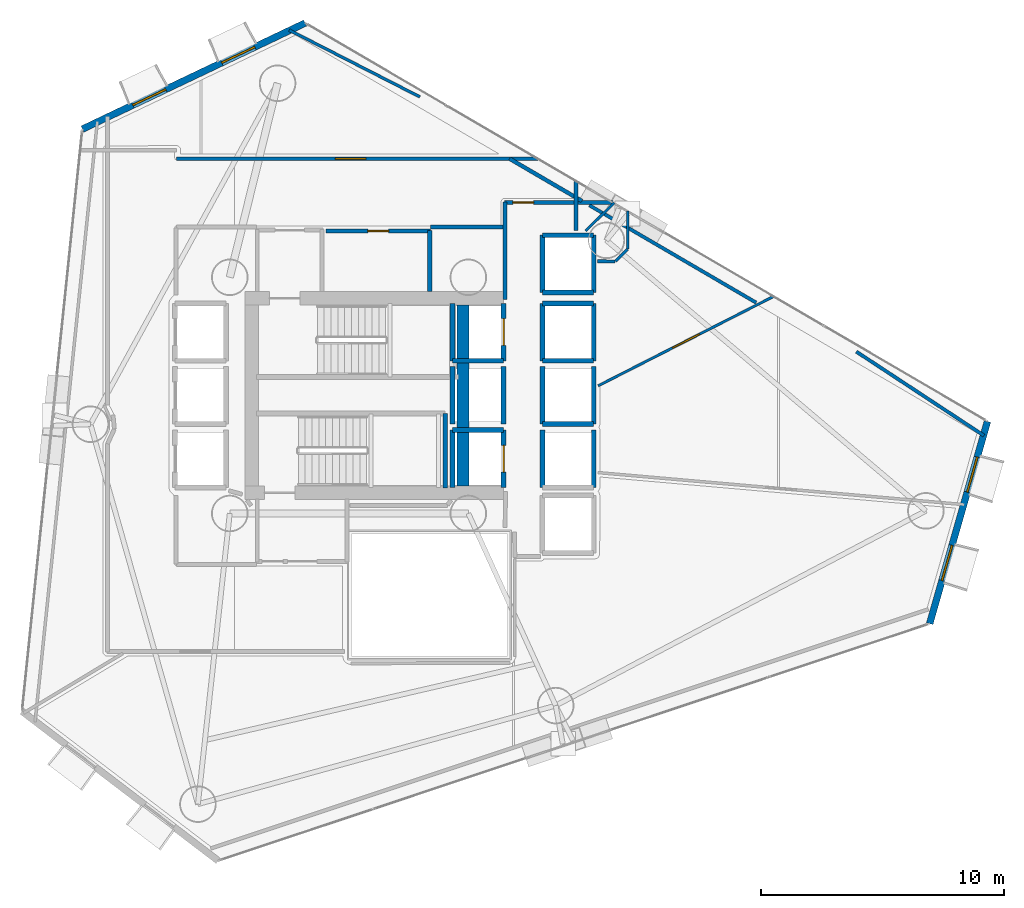
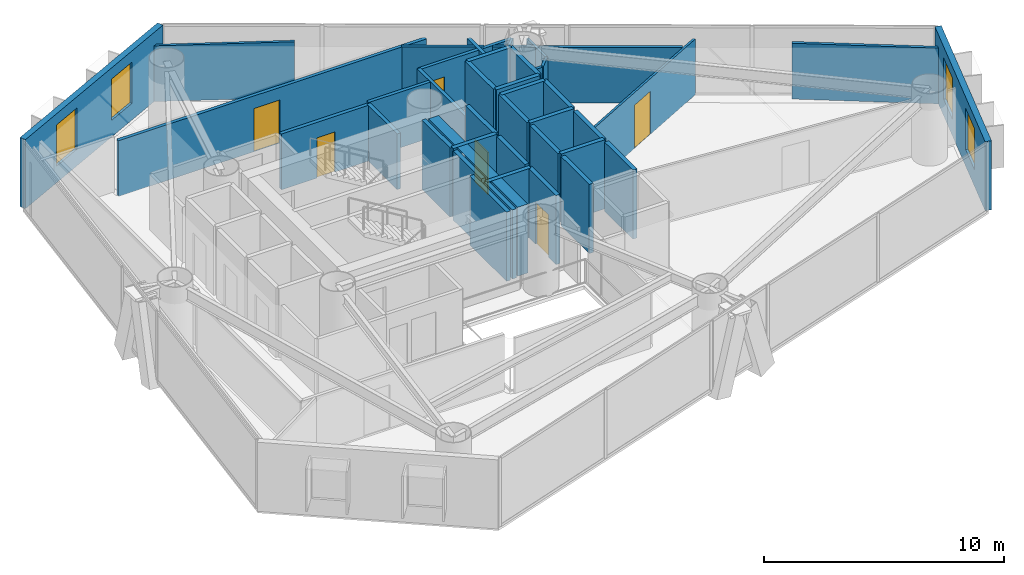
# One storey, part 15 of 19: 41 walls, 6 doors, 4 windows, 10 openings.
"""IFC4 building model written with IfcOpenShell, lengths in metres."""

from ifc_helpers import new_model, si_unit, direction, frame, frame_2d, origin, place, context, subcontext, project, spatial, rectangle, extrude, material, layer, layer_set, type_object, element, fill, save


model = new_model("IFC4")

# Units and contexts
model_context = context("Model", 3, precision=1e-05, world=origin(), true_north=direction((0.0, 1.0)))
body_context = subcontext(model_context, "Body", "Model", "MODEL_VIEW")
ifc_project = project(units=[si_unit("LENGTHUNIT", "METRE"), si_unit("AREAUNIT", "SQUARE_METRE"), si_unit("VOLUMEUNIT", "CUBIC_METRE"), si_unit("PLANEANGLEUNIT", "RADIAN"), si_unit("MASSUNIT", "GRAM", prefix="KILO")], contexts=[model_context])

# Site, building, storey
site_placement = place(None, origin())
site = spatial("IfcSite", under=ifc_project, at=site_placement, CompositionType="ELEMENT")
building_placement = place(site_placement, origin())
building = spatial("IfcBuilding", under=site, at=building_placement, Name="Qianvela Tower", CompositionType="ELEMENT")
storey_placement = place(building_placement, frame((0.0, 0.0, 120.0)))
storey = spatial("IfcBuildingStorey", under=building, at=storey_placement, Name="L30", CompositionType="ELEMENT", Elevation=120.0)

# Wall, openings, windows
ifc_material_1 = material(Name="Terracotta Cladding on Concrete C40", Category="masonry")
ifc_layer_1 = layer(ifc_material_1, 0.280029296875)
ifc_layer_set_1 = layer_set([ifc_layer_1], Name="Terracotta Cladding on Concrete C40")
wall_type_1 = type_object("IfcWallType", Name="TERRACOTTA-WALL-280", PredefinedType="SOLIDWALL", material=ifc_layer_set_1)
wall_1_placement = place(storey_placement, frame((57.352783203125, 19.323486328125, 0.0), z_axis=(0.0, 0.0, 1.0), x_axis=(0.274694997196, 0.961531413171, 0.0)))
wall_1 = element("IfcWall", 1, at=wall_1_placement, inside=storey, type_object=wall_type_1, Name="L30 Terracotta Chamfer Facet Wall 1", PredefinedType="SOLIDWALL", context=body_context, shape_type="SweptSolid", body=[
    extrude(rectangle(XDim=8.637939453125, YDim=0.280029296875, at=frame_2d((4.31884765625, 0.0))), origin(), (0.0, 0.0, 1.0), 3.52001953125),
])
opening_1_placement = place(wall_1_placement, frame((1.84130859375, 0.0, 0.85009765625)))
opening_1 = element("IfcOpeningElement", 2, at=opening_1_placement, cuts=wall_1, Name="Opening W-02", PredefinedType="OPENING", context=body_context, shape_type="SweptSolid", body=[
    extrude(rectangle(XDim=1.5, YDim=2.10009765625, at=frame_2d((0.75, 1.050048828125))), frame((0.0, 0.14990234375, 0.0), z_axis=(0.0, -1.0, 0.0), x_axis=(1.0, 0.0, 0.0)), (0.0, 0.0, 1.0), 0.300048828125),
])
opening_2_placement = place(wall_1_placement, frame((5.616455078125, 0.0, 0.85009765625)))
opening_2 = element("IfcOpeningElement", 3, at=opening_2_placement, cuts=wall_1, Name="Opening W-02", PredefinedType="OPENING", context=body_context, shape_type="SweptSolid", body=[
    extrude(rectangle(XDim=1.5, YDim=2.10009765625, at=frame_2d((0.75, 1.050048828125))), frame((0.0, 0.14990234375, 0.0), z_axis=(0.0, -1.0, 0.0), x_axis=(1.0, 0.0, 0.0)), (0.0, 0.0, 1.0), 0.300048828125),
])
ifc_material_2 = material(Name="Thermally Broken Aluminium and Low-E Glass", Category="aluminium")
window_type = type_object("IfcWindowType", Name="WIN-TC-1500x2100", PartitioningType="DOUBLE_PANEL_VERTICAL", PredefinedType="WINDOW", material=ifc_material_2)
window_1_placement = place(opening_1_placement, origin())
window_1 = element("IfcWindow", 4, at=window_1_placement, inside=storey, type_object=window_type, Name="L30 Chamfer Facet Window 1.1", OverallHeight=2.10009765625, OverallWidth=1.5, PartitioningType="SINGLE_PANEL", PredefinedType="WINDOW", context=body_context, shape_type="SweptSolid", body=[
    extrude(rectangle(XDim=1.5, YDim=2.10009765625, at=frame_2d((0.75, 1.050048828125))), frame((0.0, 0.030029296875, 0.0), z_axis=(0.0, -1.0, 0.0), x_axis=(1.0, 0.0, 0.0)), (0.0, 0.0, 1.0), 0.06005859375),
])
fill(opening_1, window_1)
window_2_placement = place(opening_2_placement, origin())
window_2 = element("IfcWindow", 5, at=window_2_placement, inside=storey, type_object=window_type, Name="L30 Chamfer Facet Window 1.2", OverallHeight=2.10009765625, OverallWidth=1.5, PartitioningType="SINGLE_PANEL", PredefinedType="WINDOW", context=body_context, shape_type="SweptSolid", body=[
    extrude(rectangle(XDim=1.5, YDim=2.10009765625, at=frame_2d((0.75, 1.050048828125))), frame((0.0, 0.030029296875, 0.0), z_axis=(0.0, -1.0, 0.0), x_axis=(1.0, 0.0, 0.0)), (0.0, 0.0, 1.0), 0.06005859375),
])
fill(opening_2, window_2)

wall_2_placement = place(storey_placement, frame((31.69091796875, 43.993408203125, 0.0), z_axis=(0.0, 0.0, 1.0), x_axis=(-0.902836451618, -0.429984117881, 0.0)))
wall_2 = element("IfcWall", 6, at=wall_2_placement, inside=storey, type_object=wall_type_1, Name="L30 Terracotta Chamfer Facet Wall 3", PredefinedType="SOLIDWALL", context=body_context, shape_type="SweptSolid", body=[
    extrude(rectangle(XDim=10.1259765625, YDim=0.280029296875, at=frame_2d((5.06298828125, 0.0))), origin(), (0.0, 0.0, 1.0), 3.52001953125),
])
opening_3_placement = place(wall_2_placement, frame((2.287841796875, 0.0, 0.85009765625)))
opening_3 = element("IfcOpeningElement", 7, at=opening_3_placement, cuts=wall_2, Name="Opening W-02", PredefinedType="OPENING", context=body_context, shape_type="SweptSolid", body=[
    extrude(rectangle(XDim=1.5, YDim=2.10009765625, at=frame_2d((0.75, 1.050048828125))), frame((0.0, 0.14990234375, 0.0), z_axis=(0.0, -1.0, 0.0), x_axis=(1.0, 0.0, 0.0)), (0.0, 0.0, 1.0), 0.300048828125),
])
opening_4_placement = place(wall_2_placement, frame((6.338134765625, 0.0, 0.85009765625)))
opening_4 = element("IfcOpeningElement", 8, at=opening_4_placement, cuts=wall_2, Name="Opening W-02", PredefinedType="OPENING", context=body_context, shape_type="SweptSolid", body=[
    extrude(rectangle(XDim=1.5, YDim=2.10009765625, at=frame_2d((0.75, 1.050048828125))), frame((0.0, 0.14990234375, 0.0), z_axis=(0.0, -1.0, 0.0), x_axis=(1.0, 0.0, 0.0)), (0.0, 0.0, 1.0), 0.300048828125),
])
window_3_placement = place(opening_3_placement, origin())
window_3 = element("IfcWindow", 9, at=window_3_placement, inside=storey, type_object=window_type, Name="L30 Chamfer Facet Window 3.1", OverallHeight=2.10009765625, OverallWidth=1.5, PartitioningType="SINGLE_PANEL", PredefinedType="WINDOW", context=body_context, shape_type="SweptSolid", body=[
    extrude(rectangle(XDim=1.5, YDim=2.10009765625, at=frame_2d((0.75, 1.050048828125))), frame((0.0, 0.030029296875, 0.0), z_axis=(0.0, -1.0, 0.0), x_axis=(1.0, 0.0, 0.0)), (0.0, 0.0, 1.0), 0.06005859375),
])
fill(opening_3, window_3)
window_4_placement = place(opening_4_placement, origin())
window_4 = element("IfcWindow", 10, at=window_4_placement, inside=storey, type_object=window_type, Name="L30 Chamfer Facet Window 3.2", OverallHeight=2.10009765625, OverallWidth=1.5, PartitioningType="SINGLE_PANEL", PredefinedType="WINDOW", context=body_context, shape_type="SweptSolid", body=[
    extrude(rectangle(XDim=1.5, YDim=2.10009765625, at=frame_2d((0.75, 1.050048828125))), frame((0.0, 0.030029296875, 0.0), z_axis=(0.0, -1.0, 0.0), x_axis=(1.0, 0.0, 0.0)), (0.0, 0.0, 1.0), 0.06005859375),
])
fill(opening_4, window_4)

# Walls
ifc_material_3 = material(Name="Concrete C60", Category="concrete")
ifc_layer_2 = layer(ifc_material_3, 0.550048828125)
ifc_layer_set_2 = layer_set([ifc_layer_2], Name="Concrete C60")
wall_type_2 = type_object("IfcWallType", Name="WT-CORE-550", PredefinedType="SHEAR", material=ifc_layer_set_2)
wall_3_placement = place(storey_placement, frame((38.179931640625, 24.97998046875, 0.0), z_axis=(0.0, 0.0, 1.0), x_axis=(0.0, 1.0, 0.0)))
element("IfcWall", 11, at=wall_3_placement, inside=storey, type_object=wall_type_2, Name="L30 East Spine Core Shear Wall", PredefinedType="SHEAR", context=body_context, shape_type="SweptSolid", body=[
    extrude(rectangle(XDim=7.43994140625, YDim=0.5, at=frame_2d((3.719970703125, 0.0))), origin(), (0.0, 0.0, 1.0), 3.52001953125),
])
ifc_material_4 = material(Name="Fire-Rated Gypsum and Concrete Block", Category="concrete")
ifc_layer_3 = layer(ifc_material_4, 0.159912109375)
ifc_layer_set_3 = layer_set([ifc_layer_3], Name="Fire-Rated Gypsum and Concrete Block")
wall_type_3 = type_object("IfcWallType", Name="WT-CORR-160", PredefinedType="PARTITIONING", material=ifc_layer_set_3)
wall_4_placement = place(storey_placement, frame((39.910888671875, 32.639892578125, 0.0), z_axis=(0.0, 0.0, 1.0), x_axis=(0.0, 1.0, 0.0)))
element("IfcWall", 12, at=wall_4_placement, inside=storey, type_object=wall_type_3, Name="L30 Partition 10", PredefinedType="PARTITIONING", context=body_context, shape_type="SweptSolid", body=[
    extrude(rectangle(XDim=4.010009765625, YDim=0.159912109375, at=frame_2d((2.0048828125, 0.0))), origin(), (0.0, 0.0, 1.0), 2.840087890625),
])

# Wall, opening, door
wall_5_placement = place(storey_placement, frame((39.8798828125, 36.618896484375, 0.0), z_axis=(0.0, 0.0, 1.0), x_axis=(1.0, 0.0, 0.0)))
wall_5 = element("IfcWall", 13, at=wall_5_placement, inside=storey, type_object=wall_type_3, Name="L30 Partition 11", PredefinedType="PARTITIONING", context=body_context, shape_type="SweptSolid", body=[
    extrude(rectangle(XDim=4.464599609375, YDim=0.159912109375, at=frame_2d((2.232421875, 0.0))), origin(), (0.0, 0.0, 1.0), 2.840087890625),
])
opening_5_placement = place(wall_5_placement, frame((0.344970703125, 0.0, 0.0)))
opening_5 = element("IfcOpeningElement", 14, at=opening_5_placement, cuts=wall_5, Name="Opening D-LB2", PredefinedType="OPENING", context=body_context, shape_type="SweptSolid", body=[
    extrude(rectangle(XDim=0.860107421875, YDim=2.050048828125, at=frame_2d((0.43017578125, 1.02490234375))), frame((0.0, 0.08984375, 0.0), z_axis=(0.0, -1.0, 0.0), x_axis=(1.0, 0.0, 0.0)), (0.0, 0.0, 1.0), 0.179931640625),
])
ifc_material_5 = material(Name="Insulated Steel Fire Door Q355B", Category="steel")
door_type_1 = type_object("IfcDoorType", Name="DT-LOBBY-FD90-860", OperationType="NOTDEFINED", PredefinedType="DOOR", material=ifc_material_5)
door_1_placement = place(opening_5_placement, origin())
door_1 = element("IfcDoor", 15, at=door_1_placement, inside=storey, type_object=door_type_1, Name="L30 Door L30 Lift Lobby to L30 Floor Corridor", OperationType="SINGLE_SWING_RIGHT", OverallHeight=2.050048828125, OverallWidth=0.860107421875, PredefinedType="DOOR", context=body_context, shape_type="SweptSolid", body=[
    extrude(rectangle(XDim=0.860107421875, YDim=2.050048828125, at=frame_2d((0.43017578125, 1.02490234375))), frame((0.0, 0.02490234375, 0.0), z_axis=(0.0, -1.0, 0.0), x_axis=(1.0, 0.0, 0.0)), (0.0, 0.0, 1.0), 0.050048828125),
])
fill(opening_5, door_1)

# Wall
wall_6_placement = place(storey_placement, frame((42.819091796875, 37.517822265625, 0.0), z_axis=(0.0, 0.0, 1.0), x_axis=(0.0, -1.0, 0.0)))
element("IfcWall", 16, at=wall_6_placement, inside=storey, type_object=wall_type_3, Name="L30 Partition 12", PredefinedType="PARTITIONING", context=body_context, shape_type="SweptSolid", body=[
    extrude(rectangle(XDim=2.037841796875, YDim=0.159912109375, at=frame_2d((1.01904296875, 0.0))), origin(), (0.0, 0.0, 1.0), 2.840087890625),
])

# Wall, opening, door
wall_7_placement = place(storey_placement, frame((26.419921875, 38.4189453125, 0.0), z_axis=(0.0, 0.0, 1.0), x_axis=(1.0, 0.0, 0.0)))
wall_7 = element("IfcWall", 17, at=wall_7_placement, inside=storey, type_object=wall_type_3, Name="L30 Partition 38", PredefinedType="PARTITIONING", context=body_context, shape_type="SweptSolid", body=[
    extrude(rectangle(XDim=14.8408203125, YDim=0.159912109375, at=frame_2d((7.42041015625, 0.0))), origin(), (0.0, 0.0, 1.0), 2.840087890625),
])
opening_6_placement = place(wall_7_placement, frame((6.520263671875, 0.0, 0.0)))
opening_6 = element("IfcOpeningElement", 18, at=opening_6_placement, cuts=wall_7, Name="Opening D-LG1", PredefinedType="OPENING", context=body_context, shape_type="SweptSolid", body=[
    extrude(rectangle(XDim=1.25, YDim=2.199951171875, at=frame_2d((0.625, 1.10009765625))), frame((0.0, 0.08984375, 0.0), z_axis=(0.0, -1.0, 0.0), x_axis=(1.0, 0.0, 0.0)), (0.0, 0.0, 1.0), 0.179931640625),
])
ifc_material_6 = material(Name="Anodised Aluminium Acoustic Glass Door", Category="aluminium")
door_type_2 = type_object("IfcDoorType", Name="DT-LOUNGE-1250", OperationType="NOTDEFINED", PredefinedType="DOOR", material=ifc_material_6)
door_2_placement = place(opening_6_placement, origin())
door_2 = element("IfcDoor", 19, at=door_2_placement, inside=storey, type_object=door_type_2, Name="L30 Door Stationery Supply Boutique L30-03 to L30 Floor Corridor", OperationType="SINGLE_SWING_RIGHT", OverallHeight=2.199951171875, OverallWidth=1.25, PredefinedType="DOOR", context=body_context, shape_type="SweptSolid", body=[
    extrude(rectangle(XDim=1.25, YDim=2.199951171875, at=frame_2d((0.625, 1.10009765625))), frame((0.0, 0.02490234375, 0.0), z_axis=(0.0, -1.0, 0.0), x_axis=(1.0, 0.0, 0.0)), (0.0, 0.0, 1.0), 0.050048828125),
])
fill(opening_6, door_2)

# Walls
wall_8_placement = place(storey_placement, frame((40.091064453125, 38.423095703125, 0.0), z_axis=(0.0, 0.0, 1.0), x_axis=(0.863647873361, -0.504095577088, 0.0)))
element("IfcWall", 20, at=wall_8_placement, inside=storey, type_object=wall_type_3, Name="L30 Partition 39", PredefinedType="PARTITIONING", context=body_context, shape_type="SweptSolid", body=[
    extrude(rectangle(XDim=3.447265625, YDim=0.159912109375, at=frame_2d((1.7236328125, 0.0))), origin(), (0.0, 0.0, 1.0), 2.840087890625),
])
wall_9_placement = place(storey_placement, frame((39.818115234375, 35.611083984375, 0.0), z_axis=(0.0, 0.0, 1.0), x_axis=(-1.0, 0.0, 0.0)))
element("IfcWall", 21, at=wall_9_placement, inside=storey, type_object=wall_type_3, Name="L30 Partition 42 seg 1", PredefinedType="PARTITIONING", context=body_context, shape_type="SweptSolid", body=[
    extrude(rectangle(XDim=2.968017578125, YDim=0.159912109375, at=frame_2d((1.48388671875, 0.0))), origin(), (0.0, 0.0, 1.0), 2.840087890625),
])

# Wall, opening, door
ifc_material_7 = material(Name="Lightweight Gypsum Room Partition")
ifc_layer_4 = layer(ifc_material_7, 0.10498046875)
ifc_layer_set_4 = layer_set([ifc_layer_4], Name="Lightweight Gypsum Room Partition")
wall_type_4 = type_object("IfcWallType", Name="WT-PART-105", PredefinedType="PARTITIONING", material=ifc_layer_set_4)
wall_10_placement = place(storey_placement, frame((43.734130859375, 29.094482421875, 0.0), z_axis=(0.0, 0.0, 1.0), x_axis=(0.891006824912, 0.453989909536, 0.0)))
wall_10 = element("IfcWall", 22, at=wall_10_placement, inside=storey, type_object=wall_type_4, Name="L30 Partition 52", PredefinedType="PARTITIONING", context=body_context, shape_type="SweptSolid", body=[
    extrude(rectangle(XDim=8.09814453125, YDim=0.10498046875, at=frame_2d((4.049072265625, 0.0))), origin(), (0.0, 0.0, 1.0), 2.840087890625),
])
opening_7_placement = place(wall_10_placement, frame((3.423583984375, 0.0, 0.0)))
opening_7 = element("IfcOpeningElement", 23, at=opening_7_placement, cuts=wall_10, Name="Opening D-LG1", PredefinedType="OPENING", context=body_context, shape_type="SweptSolid", body=[
    extrude(rectangle(XDim=1.25, YDim=2.199951171875, at=frame_2d((0.625, 1.10009765625))), frame((0.0, 0.0625, 0.0), z_axis=(0.0, -1.0, 0.0), x_axis=(1.0, 0.0, 0.0)), (0.0, 0.0, 1.0), 0.125),
])
door_3_placement = place(opening_7_placement, origin())
door_3 = element("IfcDoor", 24, at=door_3_placement, inside=storey, type_object=door_type_2, Name="L30 Door Student Bookshop Market L30-02 to Campus Convenience Shop L30-01", OperationType="SINGLE_SWING_RIGHT", OverallHeight=2.199951171875, OverallWidth=1.25, PredefinedType="DOOR", context=body_context, shape_type="SweptSolid", body=[
    extrude(rectangle(XDim=1.25, YDim=2.199951171875, at=frame_2d((0.625, 1.10009765625))), frame((0.0, 0.02490234375, 0.0), z_axis=(0.0, -1.0, 0.0), x_axis=(1.0, 0.0, 0.0)), (0.0, 0.0, 1.0), 0.050048828125),
])
fill(opening_7, door_3)

# Walls
wall_11_placement = place(storey_placement, frame((44.942626953125, 34.7216796875, 0.0), z_axis=(0.0, 0.0, 1.0), x_axis=(0.0, 1.0, 0.0)))
element("IfcWall", 25, at=wall_11_placement, inside=storey, type_object=wall_type_4, Name="L30 Partition 61", PredefinedType="PARTITIONING", context=body_context, shape_type="SweptSolid", body=[
    extrude(rectangle(XDim=1.556396484375, YDim=0.10498046875, at=frame_2d((0.7783203125, 0.0))), origin(), (0.0, 0.0, 1.0), 2.840087890625),
])
wall_12_placement = place(storey_placement, frame((44.38720703125, 36.604736328125, 0.0), z_axis=(0.0, 0.0, 1.0), x_axis=(-0.714539998756, -0.699594589872, 0.0)))
element("IfcWall", 26, at=wall_12_placement, inside=storey, type_object=wall_type_4, Name="L30 Partition 64", PredefinedType="PARTITIONING", context=body_context, shape_type="SweptSolid", body=[
    extrude(rectangle(XDim=1.633544921875, YDim=0.10498046875, at=frame_2d((0.81689453125, 0.0))), origin(), (0.0, 0.0, 1.0), 2.840087890625),
])
ifc_material_8 = material(Name="Insulated Gypsum Stud Partition")
ifc_layer_5 = layer(ifc_material_8, 0.1201171875)
ifc_layer_set_5 = layer_set([ifc_layer_5], Name="Insulated Gypsum Stud Partition")
wall_type_5 = type_object("IfcWallType", Name="WT-PART-120", PredefinedType="PARTITIONING", material=ifc_layer_set_5)
wall_13_placement = place(storey_placement, frame((44.441162109375, 34.207275390625, 0.0), z_axis=(0.0, 0.0, 1.0), x_axis=(0.707106781187, 0.707106781187, 0.0)))
element("IfcWall", 27, at=wall_13_placement, inside=storey, type_object=wall_type_5, Name="L30 Partition 60", PredefinedType="PARTITIONING", context=body_context, shape_type="SweptSolid", body=[
    extrude(rectangle(XDim=0.6962890625, YDim=0.1201171875, at=frame_2d((0.34814453125, 0.0))), origin(), (0.0, 0.0, 1.0), 2.840087890625),
])
wall_14_placement = place(storey_placement, frame((31.04443359375, 43.703857421875, 0.0), z_axis=(0.0, 0.0, 1.0), x_axis=(0.890397470598, -0.455183857746, 0.0)))
element("IfcWall", 28, at=wall_14_placement, inside=storey, type_object=wall_type_5, Name="L30 Partition 72 seg 1", PredefinedType="PARTITIONING", context=body_context, shape_type="SweptSolid", body=[
    extrude(rectangle(XDim=6.027099609375, YDim=0.1201171875, at=frame_2d((3.013671875, 0.0))), origin(), (0.0, 0.0, 1.0), 2.840087890625),
])

# Wall, opening, door
ifc_material_9 = material(Name="Moisture-Resistant Acoustic Plumbing Wall")
ifc_layer_6 = layer(ifc_material_9, 0.175048828125)
ifc_layer_set_6 = layer_set([ifc_layer_6], Name="Moisture-Resistant Acoustic Plumbing Wall")
wall_type_6 = type_object("IfcWallType", Name="WT-PLUMB-175", PredefinedType="PLUMBINGWALL", material=ifc_layer_set_6)
wall_15_placement = place(storey_placement, frame((32.550048828125, 35.448974609375, 0.0), z_axis=(0.0, 0.0, 1.0), x_axis=(1.0, 0.0, 0.0)))
wall_15 = element("IfcWall", 29, at=wall_15_placement, inside=storey, type_object=wall_type_6, Name="L30 Partition 20", PredefinedType="PLUMBINGWALL", context=body_context, shape_type="SweptSolid", body=[
    extrude(rectangle(XDim=4.300048828125, YDim=0.175048828125, at=frame_2d((2.14990234375, 0.0))), origin(), (0.0, 0.0, 1.0), 2.840087890625),
])
opening_8_placement = place(wall_15_placement, frame((1.719970703125, 0.0, 0.0)))
opening_8 = element("IfcOpeningElement", 30, at=opening_8_placement, cuts=wall_15, Name="Opening D-WC1", PredefinedType="OPENING", context=body_context, shape_type="SweptSolid", body=[
    extrude(rectangle(XDim=0.860107421875, YDim=2.050048828125, at=frame_2d((0.43017578125, 1.02490234375))), frame((0.0, 0.097412109375, 0.0), z_axis=(0.0, -1.0, 0.0), x_axis=(1.0, 0.0, 0.0)), (0.0, 0.0, 1.0), 0.195068359375),
])
ifc_material_10 = material(Name="Moisture-Sealed Acoustic Timber Door", Category="wood")
door_type_3 = type_object("IfcDoorType", Name="DT-WC-860", OperationType="NOTDEFINED", PredefinedType="DOOR", material=ifc_material_10)
door_4_placement = place(opening_8_placement, origin())
door_4 = element("IfcDoor", 31, at=door_4_placement, inside=storey, type_object=door_type_3, Name="L30 Door L30 Accessible WC to L30 Floor Corridor", OperationType="SINGLE_SWING_LEFT", OverallHeight=2.050048828125, OverallWidth=0.860107421875, PredefinedType="DOOR", context=body_context, shape_type="SweptSolid", body=[
    extrude(rectangle(XDim=0.860107421875, YDim=2.050048828125, at=frame_2d((0.43017578125, 1.02490234375))), frame((0.0, 0.02490234375, 0.0), z_axis=(0.0, -1.0, 0.0), x_axis=(1.0, 0.0, 0.0)), (0.0, 0.0, 1.0), 0.050048828125),
])
fill(opening_8, door_4)

# Walls
wall_16_placement = place(storey_placement, frame((36.819091796875, 35.47998046875, 0.0), z_axis=(0.0, 0.0, 1.0), x_axis=(0.0, -1.0, 0.0)))
element("IfcWall", 32, at=wall_16_placement, inside=storey, type_object=wall_type_6, Name="L30 Partition 21", PredefinedType="PLUMBINGWALL", context=body_context, shape_type="SweptSolid", body=[
    extrude(rectangle(XDim=2.52197265625, YDim=0.175048828125, at=frame_2d((1.260986328125, 0.0))), origin(), (0.0, 0.0, 1.0), 2.840087890625),
])
ifc_material_11 = material(Name="Acoustic Double Gypsum Stud Partition")
ifc_layer_7 = layer(ifc_material_11, 0.139892578125)
ifc_layer_set_7 = layer_set([ifc_layer_7], Name="Acoustic Double Gypsum Stud Partition")
wall_type_7 = type_object("IfcWallType", Name="WT-ROOM-140", PredefinedType="PARTITIONING", material=ifc_layer_set_7)
wall_17_placement = place(storey_placement, frame((54.34033203125, 30.49462890625, 0.0), z_axis=(0.0, 0.0, 1.0), x_axis=(0.835388859016, -0.549659398384, 0.0)))
element("IfcWall", 33, at=wall_17_placement, inside=storey, type_object=wall_type_7, Name="L30 Partition 53 seg 1", PredefinedType="PARTITIONING", context=body_context, shape_type="SweptSolid", body=[
    extrude(rectangle(XDim=6.271728515625, YDim=0.139892578125, at=frame_2d((3.1357421875, 0.0))), origin(), (0.0, 0.0, 1.0), 2.840087890625),
])
wall_18_placement = place(storey_placement, frame((43.708984375, 34.205322265625, 0.0), z_axis=(0.0, 0.0, 1.0), x_axis=(0.999950278433, -0.009971993836, 0.0)))
element("IfcWall", 34, at=wall_18_placement, inside=storey, type_object=wall_type_7, Name="L30 Partition 59", PredefinedType="PARTITIONING", context=body_context, shape_type="SweptSolid", body=[
    extrude(rectangle(XDim=0.7099609375, YDim=0.139892578125, at=frame_2d((0.35498046875, 0.0))), origin(), (0.0, 0.0, 1.0), 2.840087890625),
])
wall_19_placement = place(storey_placement, frame((43.371826171875, 36.508056640625, 0.0), z_axis=(0.0, 0.0, 1.0), x_axis=(0.863637070214, -0.504114085255, 0.0)))
element("IfcWall", 35, at=wall_19_placement, inside=storey, type_object=wall_type_7, Name="L30 Partition 65", PredefinedType="PARTITIONING", context=body_context, shape_type="SweptSolid", body=[
    extrude(rectangle(XDim=7.930908203125, YDim=0.139892578125, at=frame_2d((3.96533203125, 0.0))), origin(), (0.0, 0.0, 1.0), 2.840087890625),
])
ifc_material_12 = material(Name="Concrete C50", Category="concrete")
ifc_layer_8 = layer(ifc_material_12, 0.199951171875)
ifc_layer_set_8 = layer_set([ifc_layer_8], Name="Concrete C50")
wall_type_8 = type_object("IfcWallType", Name="WT-SHAFT-200", PredefinedType="SOLIDWALL", material=ifc_layer_set_8)
wall_20_placement = place(storey_placement, frame((37.449951171875, 24.89990234375, 0.0), z_axis=(0.0, 0.0, 1.0), x_axis=(0.0, 1.0, 0.0)))
element("IfcWall", 36, at=wall_20_placement, inside=storey, type_object=wall_type_8, Name="L30 Stair ST-2 East Wall", PredefinedType="SOLIDWALL", context=body_context, shape_type="SweptSolid", body=[
    extrude(rectangle(XDim=3.06005859375, YDim=0.199951171875, at=frame_2d((1.530029296875, 0.0))), origin(), (0.0, 0.0, 1.0), 3.52001953125),
])

# Wall, opening, door
wall_21_placement = place(storey_placement, frame((39.85009765625, 30.1201171875, 0.0), z_axis=(0.0, 0.0, 1.0), x_axis=(0.0, 1.0, 0.0)))
wall_21 = element("IfcWall", 37, at=wall_21_placement, inside=storey, type_object=wall_type_8, Name="L30 Lift FL-1 E Shaft Wall", PredefinedType="SOLIDWALL", context=body_context, shape_type="SweptSolid", body=[
    extrude(rectangle(XDim=2.35986328125, YDim=0.199951171875, at=frame_2d((1.179931640625, 0.0))), origin(), (0.0, 0.0, 1.0), 3.52001953125),
])
opening_9_placement = place(wall_21_placement, frame((0.6298828125, 0.0, 0.0)))
opening_9 = element("IfcOpeningElement", 38, at=opening_9_placement, cuts=wall_21, Name="Opening LD-01", PredefinedType="OPENING", context=body_context, shape_type="SweptSolid", body=[
    extrude(rectangle(XDim=1.10009765625, YDim=2.14990234375, at=frame_2d((0.550048828125, 1.074951171875))), frame((0.0, 0.10986328125, 0.0), z_axis=(0.0, -1.0, 0.0), x_axis=(1.0, 0.0, 0.0)), (0.0, 0.0, 1.0), 0.219970703125),
])
ifc_material_13 = material(Name="Brushed Stainless Steel Lift Landing Door", Category="steel")
door_type_4 = type_object("IfcDoorType", Name="DT-LIFT-SLIDE-1100", OperationType="SLIDING_TO_LEFT", PredefinedType="DOOR", material=ifc_material_13)
door_5_placement = place(opening_9_placement, origin())
door_5 = element("IfcDoor", 39, at=door_5_placement, inside=storey, type_object=door_type_4, Name="L30 Lift FL-1 Sliding Landing Door", OperationType="SLIDING_TO_LEFT", OverallHeight=2.14990234375, OverallWidth=1.10009765625, PredefinedType="DOOR", context=body_context, shape_type="SweptSolid", body=[
    extrude(rectangle(XDim=1.10009765625, YDim=2.14990234375, at=frame_2d((0.550048828125, 1.074951171875))), frame((0.0, 0.02490234375, 0.0), z_axis=(0.0, -1.0, 0.0), x_axis=(1.0, 0.0, 0.0)), (0.0, 0.0, 1.0), 0.050048828125),
])
fill(opening_9, door_5)

# Walls
wall_22_placement = place(storey_placement, frame((37.75, 30.1201171875, 0.0), z_axis=(0.0, 0.0, 1.0), x_axis=(0.0, 1.0, 0.0)))
element("IfcWall", 40, at=wall_22_placement, inside=storey, type_object=wall_type_8, Name="L30 Lift FL-1 W Shaft Wall", PredefinedType="SOLIDWALL", context=body_context, shape_type="SweptSolid", body=[
    extrude(rectangle(XDim=2.35986328125, YDim=0.199951171875, at=frame_2d((1.179931640625, 0.0))), origin(), (0.0, 0.0, 1.0), 3.52001953125),
])
wall_23_placement = place(storey_placement, frame((37.75, 30.1201171875, 0.0), z_axis=(0.0, 0.0, 1.0), x_axis=(1.0, 0.0, 0.0)))
element("IfcWall", 41, at=wall_23_placement, inside=storey, type_object=wall_type_8, Name="L30 Lift FL-1 S Shaft Wall", PredefinedType="SOLIDWALL", context=body_context, shape_type="SweptSolid", body=[
    extrude(rectangle(XDim=2.10009765625, YDim=0.199951171875, at=frame_2d((1.050048828125, 0.0))), origin(), (0.0, 0.0, 1.0), 3.52001953125),
])

# Wall, opening, door
wall_24_placement = place(storey_placement, frame((39.85009765625, 24.919921875, 0.0), z_axis=(0.0, 0.0, 1.0), x_axis=(0.0, 1.0, 0.0)))
wall_24 = element("IfcWall", 42, at=wall_24_placement, inside=storey, type_object=wall_type_8, Name="L30 Lift FL-2 E Shaft Wall", PredefinedType="SOLIDWALL", context=body_context, shape_type="SweptSolid", body=[
    extrude(rectangle(XDim=2.360107421875, YDim=0.199951171875, at=frame_2d((1.18017578125, 0.0))), origin(), (0.0, 0.0, 1.0), 3.52001953125),
])
opening_10_placement = place(wall_24_placement, frame((0.6298828125, 0.0, 0.0)))
opening_10 = element("IfcOpeningElement", 43, at=opening_10_placement, cuts=wall_24, Name="Opening LD-01", PredefinedType="OPENING", context=body_context, shape_type="SweptSolid", body=[
    extrude(rectangle(XDim=1.10009765625, YDim=2.14990234375, at=frame_2d((0.550048828125, 1.074951171875))), frame((0.0, 0.10986328125, 0.0), z_axis=(0.0, -1.0, 0.0), x_axis=(1.0, 0.0, 0.0)), (0.0, 0.0, 1.0), 0.219970703125),
])
door_6_placement = place(opening_10_placement, origin())
door_6 = element("IfcDoor", 44, at=door_6_placement, inside=storey, type_object=door_type_4, Name="L30 Lift FL-2 Sliding Landing Door", OperationType="SLIDING_TO_LEFT", OverallHeight=2.14990234375, OverallWidth=1.10009765625, PredefinedType="DOOR", context=body_context, shape_type="SweptSolid", body=[
    extrude(rectangle(XDim=1.10009765625, YDim=2.14990234375, at=frame_2d((0.550048828125, 1.074951171875))), frame((0.0, 0.02490234375, 0.0), z_axis=(0.0, -1.0, 0.0), x_axis=(1.0, 0.0, 0.0)), (0.0, 0.0, 1.0), 0.050048828125),
])
fill(opening_10, door_6)

# Walls
wall_25_placement = place(storey_placement, frame((37.75, 24.919921875, 0.0), z_axis=(0.0, 0.0, 1.0), x_axis=(0.0, 1.0, 0.0)))
element("IfcWall", 45, at=wall_25_placement, inside=storey, type_object=wall_type_8, Name="L30 Lift FL-2 W Shaft Wall", PredefinedType="SOLIDWALL", context=body_context, shape_type="SweptSolid", body=[
    extrude(rectangle(XDim=2.360107421875, YDim=0.199951171875, at=frame_2d((1.18017578125, 0.0))), origin(), (0.0, 0.0, 1.0), 3.52001953125),
])
wall_26_placement = place(storey_placement, frame((37.75, 27.280029296875, 0.0), z_axis=(0.0, 0.0, 1.0), x_axis=(1.0, 0.0, 0.0)))
element("IfcWall", 46, at=wall_26_placement, inside=storey, type_object=wall_type_8, Name="L30 Lift FL-2 N Shaft Wall", PredefinedType="SOLIDWALL", context=body_context, shape_type="SweptSolid", body=[
    extrude(rectangle(XDim=2.10009765625, YDim=0.199951171875, at=frame_2d((1.050048828125, 0.0))), origin(), (0.0, 0.0, 1.0), 3.52001953125),
])
for number, where, z_axis, x_axis, name in (
    (47, (43.550048828125, 30.1201171875, 0.0), (0.0, 0.0, 1.0), (0.0, 1.0, 0.0), "L30 Lift PL-M1 E Shaft Wall"),
    (48, (41.449951171875, 30.1201171875, 0.0), (0.0, 0.0, 1.0), (0.0, 1.0, 0.0), "L30 Lift PL-M1 W Shaft Wall"),
):
    element("IfcWall", number, at=place(storey_placement, frame(where, z_axis=z_axis, x_axis=x_axis)), inside=storey, type_object=wall_type_8, Name=name, PredefinedType="SOLIDWALL", context=body_context, shape_type="SweptSolid", body=[
        extrude(rectangle(XDim=2.35986328125, YDim=0.199951171875, at=frame_2d((1.179931640625, 0.0))), origin(), (0.0, 0.0, 1.0), 3.52001953125),
    ])
for number, where, z_axis, x_axis, name in (
    (49, (41.449951171875, 32.47998046875, 0.0), (0.0, 0.0, 1.0), (1.0, 0.0, 0.0), "L30 Lift PL-M1 N Shaft Wall"),
    (50, (41.449951171875, 30.1201171875, 0.0), (0.0, 0.0, 1.0), (1.0, 0.0, 0.0), "L30 Lift PL-M1 S Shaft Wall"),
):
    element("IfcWall", number, at=place(storey_placement, frame(where, z_axis=z_axis, x_axis=x_axis)), inside=storey, type_object=wall_type_8, Name=name, PredefinedType="SOLIDWALL", context=body_context, shape_type="SweptSolid", body=[
        extrude(rectangle(XDim=2.10009765625, YDim=0.199951171875, at=frame_2d((1.050048828125, 0.0))), origin(), (0.0, 0.0, 1.0), 3.52001953125),
    ])
for number, where, z_axis, x_axis, name in (
    (51, (43.550048828125, 27.52001953125, 0.0), (0.0, 0.0, 1.0), (0.0, 1.0, 0.0), "L30 Lift PL-M2 E Shaft Wall"),
    (52, (41.449951171875, 27.52001953125, 0.0), (0.0, 0.0, 1.0), (0.0, 1.0, 0.0), "L30 Lift PL-M2 W Shaft Wall"),
):
    element("IfcWall", number, at=place(storey_placement, frame(where, z_axis=z_axis, x_axis=x_axis)), inside=storey, type_object=wall_type_8, Name=name, PredefinedType="SOLIDWALL", context=body_context, shape_type="SweptSolid", body=[
        extrude(rectangle(XDim=2.35986328125, YDim=0.199951171875, at=frame_2d((1.179931640625, 0.0))), origin(), (0.0, 0.0, 1.0), 3.52001953125),
    ])
wall_27_placement = place(storey_placement, frame((41.449951171875, 27.52001953125, 0.0), z_axis=(0.0, 0.0, 1.0), x_axis=(1.0, 0.0, 0.0)))
element("IfcWall", 53, at=wall_27_placement, inside=storey, type_object=wall_type_8, Name="L30 Lift PL-M2 S Shaft Wall", PredefinedType="SOLIDWALL", context=body_context, shape_type="SweptSolid", body=[
    extrude(rectangle(XDim=2.10009765625, YDim=0.199951171875, at=frame_2d((1.050048828125, 0.0))), origin(), (0.0, 0.0, 1.0), 3.52001953125),
])
for number, where, z_axis, x_axis, name in (
    (54, (43.550048828125, 24.919921875, 0.0), (0.0, 0.0, 1.0), (0.0, 1.0, 0.0), "L30 Lift PL-M3 E Shaft Wall"),
    (55, (41.449951171875, 24.919921875, 0.0), (0.0, 0.0, 1.0), (0.0, 1.0, 0.0), "L30 Lift PL-M3 W Shaft Wall"),
):
    element("IfcWall", number, at=place(storey_placement, frame(where, z_axis=z_axis, x_axis=x_axis)), inside=storey, type_object=wall_type_8, Name=name, PredefinedType="SOLIDWALL", context=body_context, shape_type="SweptSolid", body=[
        extrude(rectangle(XDim=2.360107421875, YDim=0.199951171875, at=frame_2d((1.18017578125, 0.0))), origin(), (0.0, 0.0, 1.0), 3.52001953125),
    ])
for number, where, z_axis, x_axis, name in (
    (56, (39.85009765625, 27.52001953125, 0.0), (0.0, 0.0, 1.0), (0.0, 1.0, 0.0), "L30 Lift PL-H1 E Shaft Wall"),
    (57, (37.75, 27.52001953125, 0.0), (0.0, 0.0, 1.0), (0.0, 1.0, 0.0), "L30 Lift PL-H1 W Shaft Wall"),
):
    element("IfcWall", number, at=place(storey_placement, frame(where, z_axis=z_axis, x_axis=x_axis)), inside=storey, type_object=wall_type_8, Name=name, PredefinedType="SOLIDWALL", context=body_context, shape_type="SweptSolid", body=[
        extrude(rectangle(XDim=2.35986328125, YDim=0.199951171875, at=frame_2d((1.179931640625, 0.0))), origin(), (0.0, 0.0, 1.0), 3.52001953125),
    ])
for number, where, z_axis, x_axis, name in (
    (58, (43.550048828125, 32.919921875, 0.0), (0.0, 0.0, 1.0), (0.0, 1.0, 0.0), "L30 Lift PL-H3 E Shaft Wall"),
    (59, (41.449951171875, 32.919921875, 0.0), (0.0, 0.0, 1.0), (0.0, 1.0, 0.0), "L30 Lift PL-H3 W Shaft Wall"),
):
    element("IfcWall", number, at=place(storey_placement, frame(where, z_axis=z_axis, x_axis=x_axis)), inside=storey, type_object=wall_type_8, Name=name, PredefinedType="SOLIDWALL", context=body_context, shape_type="SweptSolid", body=[
        extrude(rectangle(XDim=2.360107421875, YDim=0.199951171875, at=frame_2d((1.18017578125, 0.0))), origin(), (0.0, 0.0, 1.0), 3.52001953125),
    ])
for number, where, z_axis, x_axis, name in (
    (60, (41.449951171875, 35.280029296875, 0.0), (0.0, 0.0, 1.0), (1.0, 0.0, 0.0), "L30 Lift PL-H3 N Shaft Wall"),
    (61, (41.449951171875, 32.919921875, 0.0), (0.0, 0.0, 1.0), (1.0, 0.0, 0.0), "L30 Lift PL-H3 S Shaft Wall"),
):
    element("IfcWall", number, at=place(storey_placement, frame(where, z_axis=z_axis, x_axis=x_axis)), inside=storey, type_object=wall_type_8, Name=name, PredefinedType="SOLIDWALL", context=body_context, shape_type="SweptSolid", body=[
        extrude(rectangle(XDim=2.10009765625, YDim=0.199951171875, at=frame_2d((1.050048828125, 0.0))), origin(), (0.0, 0.0, 1.0), 3.52001953125),
    ])

save(model, "model.ifc")
